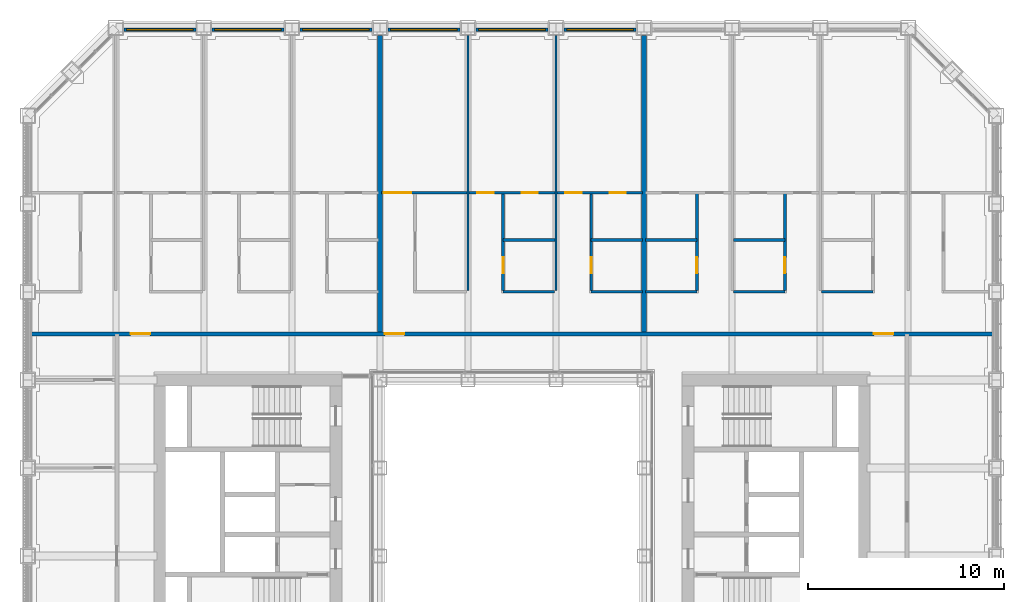
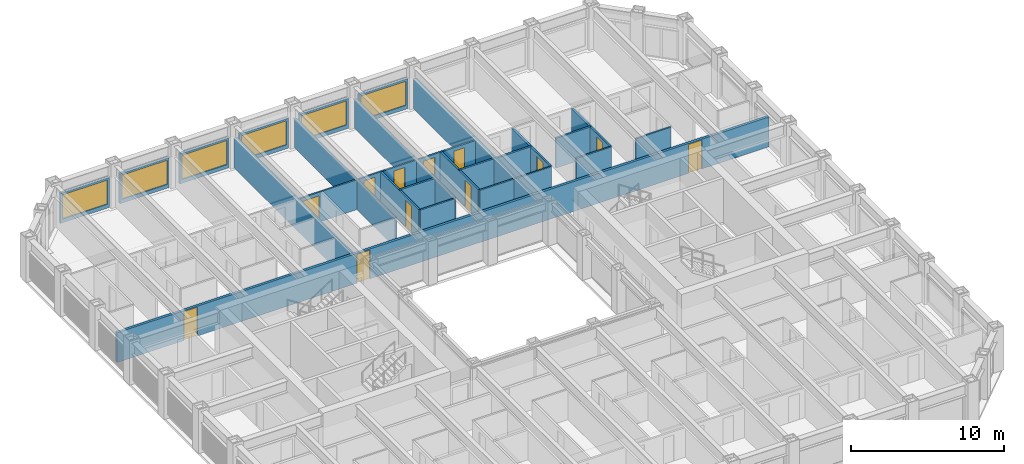
# One storey, part 14 of 21: 27 walls, 12 doors, 6 windows, 18 openings.
"""IFC4 building model written with IfcOpenShell, lengths in metres."""

from ifc_helpers import new_model, si_unit, direction, frame, frame_2d, origin, place, context, subcontext, project, spatial, rectangle, extrude, material, layer, layer_set, type_object, element, fill, save


model = new_model("IFC4")

# Units and contexts
model_context = context("Model", 3, precision=1e-05, world=origin(), true_north=direction((0.0, 1.0)))
body_context = subcontext(model_context, "Body", "Model", "MODEL_VIEW")
ifc_project = project(units=[si_unit("LENGTHUNIT", "METRE"), si_unit("AREAUNIT", "SQUARE_METRE"), si_unit("VOLUMEUNIT", "CUBIC_METRE"), si_unit("PLANEANGLEUNIT", "RADIAN"), si_unit("MASSUNIT", "GRAM", prefix="KILO")], contexts=[model_context])

# Site, building, storey
site_placement = place(None, origin())
site = spatial("IfcSite", under=ifc_project, at=site_placement, CompositionType="ELEMENT")
building_placement = place(site_placement, origin())
building = spatial("IfcBuilding", under=site, at=building_placement, Name="Msasa Ring Tower", CompositionType="ELEMENT")
storey_placement = place(building_placement, frame((0.0, 0.0, 96.5)))
storey = spatial("IfcBuildingStorey", under=building, at=storey_placement, Name="L25", CompositionType="ELEMENT", Elevation=96.5)

# Wall, opening, window
ifc_material_1 = material(Name="Terracotta rainscreen on blockwork", Category="masonry")
ifc_layer_1 = layer(ifc_material_1, 0.199951171875)
ifc_layer_set_1 = layer_set([ifc_layer_1], Name="FW1 TERRACOTTA-LINED INFILL BAY WALL 200")
wall_type_1 = type_object("IfcWallType", Name="FW1 TERRACOTTA-LINED INFILL BAY WALL 200", PredefinedType="SOLIDWALL", material=ifc_layer_set_1)
wall_1_placement = place(storey_placement, frame((-19.844970703125, 24.64990234375, 0.0), z_axis=(0.0, 0.0, 1.0), x_axis=(1.0, 0.0, 0.0)))
wall_1 = element("IfcWall", 1, at=wall_1_placement, inside=storey, type_object=wall_type_1, Name="Infill bay wall N L25 22", PredefinedType="SOLIDWALL", context=body_context, shape_type="SweptSolid", body=[
    extrude(rectangle(XDim=3.68994140625, YDim=0.199951171875, at=frame_2d((1.844970703125, 0.0))), origin(), (0.0, 0.0, 1.0), 2.37890625),
])
opening_1_placement = place(wall_1_placement, frame((0.14501953125, 0.0, 0.300048828125)))
opening_1 = element("IfcOpeningElement", 2, at=opening_1_placement, cuts=wall_1, Name="Opening WN1", PredefinedType="OPENING", context=body_context, shape_type="SweptSolid", body=[
    extrude(rectangle(XDim=3.39990234375, YDim=1.928955078125, at=frame_2d((1.699951171875, 0.96435546875))), frame((0.0, 0.10986328125, 0.0), z_axis=(0.0, -1.0, 0.0), x_axis=(1.0, 0.0, 0.0)), (0.0, 0.0, 1.0), 0.219970703125),
])
ifc_material_2 = material(Name="Aluminium frame with clear glass", Category="aluminium")
window_type = type_object("IfcWindowType", Name="WN1 RESIDENCE WINDOW 3400x1929", PartitioningType="SINGLE_PANEL", PredefinedType="WINDOW", material=ifc_material_2)
window_1_placement = place(opening_1_placement, origin())
window_1 = element("IfcWindow", 3, at=window_1_placement, inside=storey, type_object=window_type, Name="Window N L25 22", OverallHeight=1.928955078125, OverallWidth=3.39990234375, PartitioningType="SINGLE_PANEL", PredefinedType="WINDOW", context=body_context, shape_type="SweptSolid", body=[
    extrude(rectangle(XDim=3.39990234375, YDim=1.928955078125, at=frame_2d((1.699951171875, 0.96435546875))), frame((0.0, 0.030029296875, 0.0), z_axis=(0.0, -1.0, 0.0), x_axis=(1.0, 0.0, 0.0)), (0.0, 0.0, 1.0), 0.06005859375),
])
fill(opening_1, window_1)

wall_2_placement = place(storey_placement, frame((-15.344970703125, 24.64990234375, 0.0), z_axis=(0.0, 0.0, 1.0), x_axis=(1.0, 0.0, 0.0)))
wall_2 = element("IfcWall", 4, at=wall_2_placement, inside=storey, type_object=wall_type_1, Name="Infill bay wall N L25 23", PredefinedType="SOLIDWALL", context=body_context, shape_type="SweptSolid", body=[
    extrude(rectangle(XDim=3.68994140625, YDim=0.199951171875, at=frame_2d((1.844970703125, 0.0))), origin(), (0.0, 0.0, 1.0), 2.37890625),
])
opening_2_placement = place(wall_2_placement, frame((0.14501953125, 0.0, 0.300048828125)))
opening_2 = element("IfcOpeningElement", 5, at=opening_2_placement, cuts=wall_2, Name="Opening WN1", PredefinedType="OPENING", context=body_context, shape_type="SweptSolid", body=[
    extrude(rectangle(XDim=3.39990234375, YDim=1.928955078125, at=frame_2d((1.699951171875, 0.96435546875))), frame((0.0, 0.10986328125, 0.0), z_axis=(0.0, -1.0, 0.0), x_axis=(1.0, 0.0, 0.0)), (0.0, 0.0, 1.0), 0.219970703125),
])
window_2_placement = place(opening_2_placement, origin())
window_2 = element("IfcWindow", 6, at=window_2_placement, inside=storey, type_object=window_type, Name="Window N L25 23", OverallHeight=1.928955078125, OverallWidth=3.39990234375, PartitioningType="SINGLE_PANEL", PredefinedType="WINDOW", context=body_context, shape_type="SweptSolid", body=[
    extrude(rectangle(XDim=3.39990234375, YDim=1.928955078125, at=frame_2d((1.699951171875, 0.96435546875))), frame((0.0, 0.030029296875, 0.0), z_axis=(0.0, -1.0, 0.0), x_axis=(1.0, 0.0, 0.0)), (0.0, 0.0, 1.0), 0.06005859375),
])
fill(opening_2, window_2)

wall_3_placement = place(storey_placement, frame((-10.844970703125, 24.64990234375, 0.0), z_axis=(0.0, 0.0, 1.0), x_axis=(1.0, 0.0, 0.0)))
wall_3 = element("IfcWall", 7, at=wall_3_placement, inside=storey, type_object=wall_type_1, Name="Infill bay wall N L25 24", PredefinedType="SOLIDWALL", context=body_context, shape_type="SweptSolid", body=[
    extrude(rectangle(XDim=3.68994140625, YDim=0.199951171875, at=frame_2d((1.844970703125, 0.0))), origin(), (0.0, 0.0, 1.0), 2.37890625),
])
opening_3_placement = place(wall_3_placement, frame((0.14501953125, 0.0, 0.300048828125)))
opening_3 = element("IfcOpeningElement", 8, at=opening_3_placement, cuts=wall_3, Name="Opening WN1", PredefinedType="OPENING", context=body_context, shape_type="SweptSolid", body=[
    extrude(rectangle(XDim=3.39990234375, YDim=1.928955078125, at=frame_2d((1.699951171875, 0.96435546875))), frame((0.0, 0.10986328125, 0.0), z_axis=(0.0, -1.0, 0.0), x_axis=(1.0, 0.0, 0.0)), (0.0, 0.0, 1.0), 0.219970703125),
])
window_3_placement = place(opening_3_placement, origin())
window_3 = element("IfcWindow", 9, at=window_3_placement, inside=storey, type_object=window_type, Name="Window N L25 24", OverallHeight=1.928955078125, OverallWidth=3.39990234375, PartitioningType="SINGLE_PANEL", PredefinedType="WINDOW", context=body_context, shape_type="SweptSolid", body=[
    extrude(rectangle(XDim=3.39990234375, YDim=1.928955078125, at=frame_2d((1.699951171875, 0.96435546875))), frame((0.0, 0.030029296875, 0.0), z_axis=(0.0, -1.0, 0.0), x_axis=(1.0, 0.0, 0.0)), (0.0, 0.0, 1.0), 0.06005859375),
])
fill(opening_3, window_3)

wall_4_placement = place(storey_placement, frame((-6.344970703125, 24.64990234375, 0.0), z_axis=(0.0, 0.0, 1.0), x_axis=(1.0, 0.0, 0.0)))
wall_4 = element("IfcWall", 10, at=wall_4_placement, inside=storey, type_object=wall_type_1, Name="Infill bay wall N L25 25", PredefinedType="SOLIDWALL", context=body_context, shape_type="SweptSolid", body=[
    extrude(rectangle(XDim=3.68994140625, YDim=0.199951171875, at=frame_2d((1.844970703125, 0.0))), origin(), (0.0, 0.0, 1.0), 2.37890625),
])
opening_4_placement = place(wall_4_placement, frame((0.14501953125, 0.0, 0.300048828125)))
opening_4 = element("IfcOpeningElement", 11, at=opening_4_placement, cuts=wall_4, Name="Opening WN1", PredefinedType="OPENING", context=body_context, shape_type="SweptSolid", body=[
    extrude(rectangle(XDim=3.39990234375, YDim=1.928955078125, at=frame_2d((1.699951171875, 0.96435546875))), frame((0.0, 0.10986328125, 0.0), z_axis=(0.0, -1.0, 0.0), x_axis=(1.0, 0.0, 0.0)), (0.0, 0.0, 1.0), 0.219970703125),
])
window_4_placement = place(opening_4_placement, origin())
window_4 = element("IfcWindow", 12, at=window_4_placement, inside=storey, type_object=window_type, Name="Window N L25 25", OverallHeight=1.928955078125, OverallWidth=3.39990234375, PartitioningType="SINGLE_PANEL", PredefinedType="WINDOW", context=body_context, shape_type="SweptSolid", body=[
    extrude(rectangle(XDim=3.39990234375, YDim=1.928955078125, at=frame_2d((1.699951171875, 0.96435546875))), frame((0.0, 0.030029296875, 0.0), z_axis=(0.0, -1.0, 0.0), x_axis=(1.0, 0.0, 0.0)), (0.0, 0.0, 1.0), 0.06005859375),
])
fill(opening_4, window_4)

wall_5_placement = place(storey_placement, frame((-1.844970703125, 24.64990234375, 0.0), z_axis=(0.0, 0.0, 1.0), x_axis=(1.0, 0.0, 0.0)))
wall_5 = element("IfcWall", 13, at=wall_5_placement, inside=storey, type_object=wall_type_1, Name="Infill bay wall N L25 26", PredefinedType="SOLIDWALL", context=body_context, shape_type="SweptSolid", body=[
    extrude(rectangle(XDim=3.68994140625, YDim=0.199951171875, at=frame_2d((1.844970703125, 0.0))), origin(), (0.0, 0.0, 1.0), 2.37890625),
])
opening_5_placement = place(wall_5_placement, frame((0.14501953125, 0.0, 0.300048828125)))
opening_5 = element("IfcOpeningElement", 14, at=opening_5_placement, cuts=wall_5, Name="Opening WN1", PredefinedType="OPENING", context=body_context, shape_type="SweptSolid", body=[
    extrude(rectangle(XDim=3.39990234375, YDim=1.928955078125, at=frame_2d((1.699951171875, 0.96435546875))), frame((0.0, 0.10986328125, 0.0), z_axis=(0.0, -1.0, 0.0), x_axis=(1.0, 0.0, 0.0)), (0.0, 0.0, 1.0), 0.219970703125),
])
window_5_placement = place(opening_5_placement, origin())
window_5 = element("IfcWindow", 15, at=window_5_placement, inside=storey, type_object=window_type, Name="Window N L25 26", OverallHeight=1.928955078125, OverallWidth=3.39990234375, PartitioningType="SINGLE_PANEL", PredefinedType="WINDOW", context=body_context, shape_type="SweptSolid", body=[
    extrude(rectangle(XDim=3.39990234375, YDim=1.928955078125, at=frame_2d((1.699951171875, 0.96435546875))), frame((0.0, 0.030029296875, 0.0), z_axis=(0.0, -1.0, 0.0), x_axis=(1.0, 0.0, 0.0)), (0.0, 0.0, 1.0), 0.06005859375),
])
fill(opening_5, window_5)

wall_6_placement = place(storey_placement, frame((2.655029296875, 24.64990234375, 0.0), z_axis=(0.0, 0.0, 1.0), x_axis=(1.0, 0.0, 0.0)))
wall_6 = element("IfcWall", 16, at=wall_6_placement, inside=storey, type_object=wall_type_1, Name="Infill bay wall N L25 27", PredefinedType="SOLIDWALL", context=body_context, shape_type="SweptSolid", body=[
    extrude(rectangle(XDim=3.68994140625, YDim=0.199951171875, at=frame_2d((1.844970703125, 0.0))), origin(), (0.0, 0.0, 1.0), 2.37890625),
])
opening_6_placement = place(wall_6_placement, frame((0.14501953125, 0.0, 0.300048828125)))
opening_6 = element("IfcOpeningElement", 17, at=opening_6_placement, cuts=wall_6, Name="Opening WN1", PredefinedType="OPENING", context=body_context, shape_type="SweptSolid", body=[
    extrude(rectangle(XDim=3.39990234375, YDim=1.928955078125, at=frame_2d((1.699951171875, 0.96435546875))), frame((0.0, 0.10986328125, 0.0), z_axis=(0.0, -1.0, 0.0), x_axis=(1.0, 0.0, 0.0)), (0.0, 0.0, 1.0), 0.219970703125),
])
window_6_placement = place(opening_6_placement, origin())
window_6 = element("IfcWindow", 18, at=window_6_placement, inside=storey, type_object=window_type, Name="Window N L25 27", OverallHeight=1.928955078125, OverallWidth=3.39990234375, PartitioningType="SINGLE_PANEL", PredefinedType="WINDOW", context=body_context, shape_type="SweptSolid", body=[
    extrude(rectangle(XDim=3.39990234375, YDim=1.928955078125, at=frame_2d((1.699951171875, 0.96435546875))), frame((0.0, 0.030029296875, 0.0), z_axis=(0.0, -1.0, 0.0), x_axis=(1.0, 0.0, 0.0)), (0.0, 0.0, 1.0), 0.06005859375),
])
fill(opening_6, window_6)

# Wall, openings, doors
ifc_material_3 = material(Name="Concrete blockwork", Category="masonry")
ifc_layer_2 = layer(ifc_material_3, 0.199951171875)
ifc_layer_set_2 = layer_set([ifc_layer_2], Name="PT1 CORRIDOR WALL 200")
wall_type_2 = type_object("IfcWallType", Name="PT1 CORRIDOR WALL 200", PredefinedType="PARTITIONING", material=ifc_layer_set_2)
wall_7_placement = place(storey_placement, frame((-24.550048828125, 9.10009765625, 0.0), z_axis=(0.0, 0.0, 1.0), x_axis=(1.0, 0.0, 0.0)))
wall_7 = element("IfcWall", 19, at=wall_7_placement, inside=storey, type_object=wall_type_2, Name="Corridor wall L25-CORRN0", PredefinedType="PARTITIONING", context=body_context, shape_type="SweptSolid", body=[
    extrude(rectangle(XDim=49.10009765625, YDim=0.199951171875, at=frame_2d((24.550048828125, 0.0))), origin(), (0.0, 0.0, 1.0), 2.373291015625),
])
opening_7_placement = place(wall_7_placement, frame((5.050048828125, 0.0, 0.0)))
opening_7 = element("IfcOpeningElement", 20, at=opening_7_placement, cuts=wall_7, Name="Opening RG-031", PredefinedType="OPENING", context=body_context, shape_type="SweptSolid", body=[
    extrude(rectangle(XDim=1.0, YDim=2.300048828125, at=frame_2d((0.5, 1.14990234375))), frame((0.0, 0.10986328125, 0.0), z_axis=(0.0, -1.0, 0.0), x_axis=(1.0, 0.0, 0.0)), (0.0, 0.0, 1.0), 0.219970703125),
])
opening_8_placement = place(wall_7_placement, frame((18.050048828125, 0.0, 0.0)))
opening_8 = element("IfcOpeningElement", 21, at=opening_8_placement, cuts=wall_7, Name="Opening RG-032", PredefinedType="OPENING", context=body_context, shape_type="SweptSolid", body=[
    extrude(rectangle(XDim=1.0, YDim=2.300048828125, at=frame_2d((0.5, 1.14990234375))), frame((0.0, 0.10986328125, 0.0), z_axis=(0.0, -1.0, 0.0), x_axis=(1.0, 0.0, 0.0)), (0.0, 0.0, 1.0), 0.219970703125),
])
opening_9_placement = place(wall_7_placement, frame((43.050048828125, 0.0, 0.0)))
opening_9 = element("IfcOpeningElement", 22, at=opening_9_placement, cuts=wall_7, Name="Opening RG-033", PredefinedType="OPENING", context=body_context, shape_type="SweptSolid", body=[
    extrude(rectangle(XDim=1.0, YDim=2.300048828125, at=frame_2d((0.5, 1.14990234375))), frame((0.0, 0.10986328125, 0.0), z_axis=(0.0, -1.0, 0.0), x_axis=(1.0, 0.0, 0.0)), (0.0, 0.0, 1.0), 0.219970703125),
])
ifc_material_4 = material(Name="Timber door leaf in a steel frame", Category="steel")
door_type_1 = type_object("IfcDoorType", Name="D16 UPPER RESIDENCE ENTRANCE DOOR 1000x2300", OperationType="SINGLE_SWING_LEFT", PredefinedType="DOOR", material=ifc_material_4)
door_1_placement = place(opening_7_placement, origin())
door_1 = element("IfcDoor", 23, at=door_1_placement, inside=storey, type_object=door_type_1, Name="Door L25-UN00", OperationType="SINGLE_SWING_LEFT", OverallHeight=2.300048828125, OverallWidth=1.0, PredefinedType="DOOR", context=body_context, shape_type="SweptSolid", body=[
    extrude(rectangle(XDim=1.0, YDim=2.300048828125, at=frame_2d((0.5, 1.14990234375))), frame((0.0, 0.02490234375, 0.0), z_axis=(0.0, -1.0, 0.0), x_axis=(1.0, 0.0, 0.0)), (0.0, 0.0, 1.0), 0.050048828125),
])
fill(opening_7, door_1)
door_2_placement = place(opening_8_placement, origin())
door_2 = element("IfcDoor", 24, at=door_2_placement, inside=storey, type_object=door_type_1, Name="Door L25-UN01", OperationType="SINGLE_SWING_LEFT", OverallHeight=2.300048828125, OverallWidth=1.0, PredefinedType="DOOR", context=body_context, shape_type="SweptSolid", body=[
    extrude(rectangle(XDim=1.0, YDim=2.300048828125, at=frame_2d((0.5, 1.14990234375))), frame((0.0, 0.02490234375, 0.0), z_axis=(0.0, -1.0, 0.0), x_axis=(1.0, 0.0, 0.0)), (0.0, 0.0, 1.0), 0.050048828125),
])
fill(opening_8, door_2)
door_3_placement = place(opening_9_placement, origin())
door_3 = element("IfcDoor", 25, at=door_3_placement, inside=storey, type_object=door_type_1, Name="Door L25-UN02", OperationType="SINGLE_SWING_RIGHT", OverallHeight=2.300048828125, OverallWidth=1.0, PredefinedType="DOOR", context=body_context, shape_type="SweptSolid", body=[
    extrude(rectangle(XDim=1.0, YDim=2.300048828125, at=frame_2d((0.5, 1.14990234375))), frame((0.0, 0.02490234375, 0.0), z_axis=(0.0, -1.0, 0.0), x_axis=(1.0, 0.0, 0.0)), (0.0, 0.0, 1.0), 0.050048828125),
])
fill(opening_9, door_3)

# Walls
ifc_material_5 = material(Name="Dense concrete blockwork, plastered both faces", Category="masonry")
ifc_layer_3 = layer(ifc_material_5, 0.25)
ifc_layer_set_3 = layer_set([ifc_layer_3], Name="PT3 APARTMENT SEPARATING WALL 250")
wall_type_3 = type_object("IfcWallType", Name="PT3 APARTMENT SEPARATING WALL 250", PredefinedType="PARTITIONING", material=ifc_layer_set_3)
for number, where, z_axis, x_axis, name in (
    (26, (-6.75, 9.199951171875, 0.0), (0.0, 0.0, 1.0), (0.0, 1.0, 0.0), "Party wall L25-PWN-6.75"),
    (27, (6.75, 9.199951171875, 0.0), (0.0, 0.0, 1.0), (0.0, 1.0, 0.0), "Party wall L25-PWN+6.75"),
):
    element("IfcWall", number, at=place(storey_placement, frame(where, z_axis=z_axis, x_axis=x_axis)), inside=storey, type_object=wall_type_3, Name=name, PredefinedType="PARTITIONING", context=body_context, shape_type="SweptSolid", body=[
        extrude(rectangle(XDim=15.150146484375, YDim=0.25, at=frame_2d((7.5751953125, 0.0))), origin(), (0.0, 0.0, 1.0), 2.373291015625),
    ])

# Wall, opening, door
ifc_material_6 = material(Name="Moisture-resistant board on steel studs with a concealed cistern and pipe void, tiled", Category="steel")
ifc_layer_4 = layer(ifc_material_6, 0.14990234375)
ifc_layer_set_4 = layer_set([ifc_layer_4], Name="PT4 BATHROOM WET WALL 150")
wall_type_4 = type_object("IfcWallType", Name="PT4 BATHROOM WET WALL 150", PredefinedType="PARTITIONING", material=ifc_layer_set_4)
wall_8_placement = place(storey_placement, frame((-0.449951171875, 11.3125, 0.0), z_axis=(0.0, 0.0, 1.0), x_axis=(0.0, 1.0, 0.0)))
wall_8 = element("IfcWall", 28, at=wall_8_placement, inside=storey, type_object=wall_type_4, Name="Partition L25-UN01SX1", PredefinedType="PARTITIONING", context=body_context, shape_type="SweptSolid", body=[
    extrude(rectangle(XDim=5.0, YDim=0.14990234375, at=frame_2d((2.5, 0.0))), origin(), (0.0, 0.0, 1.0), 2.373291015625),
])
opening_10_placement = place(wall_8_placement, frame((0.89990234375, 0.0, 0.0)))
opening_10 = element("IfcOpeningElement", 29, at=opening_10_placement, cuts=wall_8, Name="Opening RG-026", PredefinedType="OPENING", context=body_context, shape_type="SweptSolid", body=[
    extrude(rectangle(XDim=0.800048828125, YDim=2.10009765625, at=frame_2d((0.39990234375, 1.050048828125))), frame((0.0, 0.0849609375, 0.0), z_axis=(0.0, -1.0, 0.0), x_axis=(1.0, 0.0, 0.0)), (0.0, 0.0, 1.0), 0.169921875),
])
ifc_material_7 = material(Name="Timber door leaf in a steel frame", Category="steel")
door_type_2 = type_object("IfcDoorType", Name="D21 POCKET SLIDING BATHROOM DOOR 800x2100", OperationType="SINGLE_SWING_LEFT", PredefinedType="DOOR", material=ifc_material_7)
door_4_placement = place(opening_10_placement, origin())
door_4 = element("IfcDoor", 30, at=door_4_placement, inside=storey, type_object=door_type_2, Name="Door L25-UN01B1", OperationType="SINGLE_SWING_LEFT", OverallHeight=2.10009765625, OverallWidth=0.800048828125, PredefinedType="DOOR", context=body_context, shape_type="SweptSolid", body=[
    extrude(rectangle(XDim=0.800048828125, YDim=2.10009765625, at=frame_2d((0.39990234375, 1.050048828125))), frame((0.0, 0.02490234375, 0.0), z_axis=(0.0, -1.0, 0.0), x_axis=(1.0, 0.0, 0.0)), (0.0, 0.0, 1.0), 0.050048828125),
])
fill(opening_10, door_4)

# Wall
wall_9_placement = place(storey_placement, frame((-0.449951171875, 13.91259765625, 0.0), z_axis=(0.0, 0.0, 1.0), x_axis=(1.0, 0.0, 0.0)))
element("IfcWall", 31, at=wall_9_placement, inside=storey, type_object=wall_type_4, Name="Partition L25-UN01SB1", PredefinedType="PARTITIONING", context=body_context, shape_type="SweptSolid", body=[
    extrude(rectangle(XDim=2.637451171875, YDim=0.14990234375, at=frame_2d((1.31884765625, 0.0))), origin(), (0.0, 0.0, 1.0), 2.373291015625),
])

# Wall, opening, door
wall_10_placement = place(storey_placement, frame((4.050048828125, 11.3125, 0.0), z_axis=(0.0, 0.0, 1.0), x_axis=(0.0, 1.0, 0.0)))
wall_10 = element("IfcWall", 32, at=wall_10_placement, inside=storey, type_object=wall_type_4, Name="Partition L25-UN01SX2", PredefinedType="PARTITIONING", context=body_context, shape_type="SweptSolid", body=[
    extrude(rectangle(XDim=5.0, YDim=0.14990234375, at=frame_2d((2.5, 0.0))), origin(), (0.0, 0.0, 1.0), 2.373291015625),
])
opening_11_placement = place(wall_10_placement, frame((0.89990234375, 0.0, 0.0)))
opening_11 = element("IfcOpeningElement", 33, at=opening_11_placement, cuts=wall_10, Name="Opening RG-027", PredefinedType="OPENING", context=body_context, shape_type="SweptSolid", body=[
    extrude(rectangle(XDim=0.800048828125, YDim=2.10009765625, at=frame_2d((0.39990234375, 1.050048828125))), frame((0.0, 0.0849609375, 0.0), z_axis=(0.0, -1.0, 0.0), x_axis=(1.0, 0.0, 0.0)), (0.0, 0.0, 1.0), 0.169921875),
])
door_5_placement = place(opening_11_placement, origin())
door_5 = element("IfcDoor", 34, at=door_5_placement, inside=storey, type_object=door_type_2, Name="Door L25-UN01B2", OperationType="SINGLE_SWING_LEFT", OverallHeight=2.10009765625, OverallWidth=0.800048828125, PredefinedType="DOOR", context=body_context, shape_type="SweptSolid", body=[
    extrude(rectangle(XDim=0.800048828125, YDim=2.10009765625, at=frame_2d((0.39990234375, 1.050048828125))), frame((0.0, 0.02490234375, 0.0), z_axis=(0.0, -1.0, 0.0), x_axis=(1.0, 0.0, 0.0)), (0.0, 0.0, 1.0), 0.050048828125),
])
fill(opening_11, door_5)

# Wall
wall_11_placement = place(storey_placement, frame((4.050048828125, 13.91259765625, 0.0), z_axis=(0.0, 0.0, 1.0), x_axis=(1.0, 0.0, 0.0)))
element("IfcWall", 35, at=wall_11_placement, inside=storey, type_object=wall_type_4, Name="Partition L25-UN01SB2", PredefinedType="PARTITIONING", context=body_context, shape_type="SweptSolid", body=[
    extrude(rectangle(XDim=2.632568359375, YDim=0.14990234375, at=frame_2d((1.31640625, 0.0))), origin(), (0.0, 0.0, 1.0), 2.373291015625),
])

# Wall, opening, door
wall_12_placement = place(storey_placement, frame((13.949951171875, 11.3125, 0.0), z_axis=(0.0, 0.0, 1.0), x_axis=(0.0, 1.0, 0.0)))
wall_12 = element("IfcWall", 36, at=wall_12_placement, inside=storey, type_object=wall_type_4, Name="Partition L25-UN02SX2", PredefinedType="PARTITIONING", context=body_context, shape_type="SweptSolid", body=[
    extrude(rectangle(XDim=5.0, YDim=0.14990234375, at=frame_2d((2.5, 0.0))), origin(), (0.0, 0.0, 1.0), 2.373291015625),
])
opening_12_placement = place(wall_12_placement, frame((0.89990234375, 0.0, 0.0)))
opening_12 = element("IfcOpeningElement", 37, at=opening_12_placement, cuts=wall_12, Name="Opening RG-029", PredefinedType="OPENING", context=body_context, shape_type="SweptSolid", body=[
    extrude(rectangle(XDim=0.800048828125, YDim=2.10009765625, at=frame_2d((0.39990234375, 1.050048828125))), frame((0.0, 0.0849609375, 0.0), z_axis=(0.0, -1.0, 0.0), x_axis=(1.0, 0.0, 0.0)), (0.0, 0.0, 1.0), 0.169921875),
])
door_6_placement = place(opening_12_placement, origin())
door_6 = element("IfcDoor", 38, at=door_6_placement, inside=storey, type_object=door_type_2, Name="Door L25-UN02B2", OperationType="SINGLE_SWING_LEFT", OverallHeight=2.10009765625, OverallWidth=0.800048828125, PredefinedType="DOOR", context=body_context, shape_type="SweptSolid", body=[
    extrude(rectangle(XDim=0.800048828125, YDim=2.10009765625, at=frame_2d((0.39990234375, 1.050048828125))), frame((0.0, 0.02490234375, 0.0), z_axis=(0.0, -1.0, 0.0), x_axis=(1.0, 0.0, 0.0)), (0.0, 0.0, 1.0), 0.050048828125),
])
fill(opening_12, door_6)

# Wall
wall_13_placement = place(storey_placement, frame((11.3125, 13.91259765625, 0.0), z_axis=(0.0, 0.0, 1.0), x_axis=(1.0, 0.0, 0.0)))
element("IfcWall", 39, at=wall_13_placement, inside=storey, type_object=wall_type_4, Name="Partition L25-UN02SB2", PredefinedType="PARTITIONING", context=body_context, shape_type="SweptSolid", body=[
    extrude(rectangle(XDim=2.637451171875, YDim=0.14990234375, at=frame_2d((1.31884765625, 0.0))), origin(), (0.0, 0.0, 1.0), 2.373291015625),
])

# Wall, opening, door
wall_14_placement = place(storey_placement, frame((9.449951171875, 11.3125, 0.0), z_axis=(0.0, 0.0, 1.0), x_axis=(0.0, 1.0, 0.0)))
wall_14 = element("IfcWall", 40, at=wall_14_placement, inside=storey, type_object=wall_type_4, Name="Partition L25-UN02SX3", PredefinedType="PARTITIONING", context=body_context, shape_type="SweptSolid", body=[
    extrude(rectangle(XDim=5.0, YDim=0.14990234375, at=frame_2d((2.5, 0.0))), origin(), (0.0, 0.0, 1.0), 2.373291015625),
])
opening_13_placement = place(wall_14_placement, frame((0.89990234375, 0.0, 0.0)))
opening_13 = element("IfcOpeningElement", 41, at=opening_13_placement, cuts=wall_14, Name="Opening RG-028", PredefinedType="OPENING", context=body_context, shape_type="SweptSolid", body=[
    extrude(rectangle(XDim=0.800048828125, YDim=2.10009765625, at=frame_2d((0.39990234375, 1.050048828125))), frame((0.0, 0.0849609375, 0.0), z_axis=(0.0, -1.0, 0.0), x_axis=(1.0, 0.0, 0.0)), (0.0, 0.0, 1.0), 0.169921875),
])
door_7_placement = place(opening_13_placement, origin())
door_7 = element("IfcDoor", 42, at=door_7_placement, inside=storey, type_object=door_type_2, Name="Door L25-UN02B3", OperationType="SINGLE_SWING_LEFT", OverallHeight=2.10009765625, OverallWidth=0.800048828125, PredefinedType="DOOR", context=body_context, shape_type="SweptSolid", body=[
    extrude(rectangle(XDim=0.800048828125, YDim=2.10009765625, at=frame_2d((0.39990234375, 1.050048828125))), frame((0.0, 0.02490234375, 0.0), z_axis=(0.0, -1.0, 0.0), x_axis=(1.0, 0.0, 0.0)), (0.0, 0.0, 1.0), 0.050048828125),
])
fill(opening_13, door_7)

# Wall
wall_15_placement = place(storey_placement, frame((6.8173828125, 13.91259765625, 0.0), z_axis=(0.0, 0.0, 1.0), x_axis=(1.0, 0.0, 0.0)))
element("IfcWall", 43, at=wall_15_placement, inside=storey, type_object=wall_type_4, Name="Partition L25-UN02SB3", PredefinedType="PARTITIONING", context=body_context, shape_type="SweptSolid", body=[
    extrude(rectangle(XDim=2.632568359375, YDim=0.14990234375, at=frame_2d((1.31640625, 0.0))), origin(), (0.0, 0.0, 1.0), 2.373291015625),
])

# Wall, opening, door
ifc_material_8 = material(Name="Two layers of acoustic board each face on steel studs, mineral wool", Category="steel")
ifc_layer_5 = layer(ifc_material_8, 0.125)
ifc_layer_set_5 = layer_set([ifc_layer_5], Name="PT6 ACOUSTIC DOUBLE-BOARD PARTITION 125")
wall_type_5 = type_object("IfcWallType", Name="PT6 ACOUSTIC DOUBLE-BOARD PARTITION 125", PredefinedType="PARTITIONING", material=ifc_layer_set_5)
wall_16_placement = place(storey_placement, frame((-6.6826171875, 16.3125, 0.0), z_axis=(0.0, 0.0, 1.0), x_axis=(1.0, 0.0, 0.0)))
wall_16 = element("IfcWall", 44, at=wall_16_placement, inside=storey, type_object=wall_type_5, Name="Partition L25-UN01SY0", PredefinedType="PARTITIONING", context=body_context, shape_type="SweptSolid", body=[
    extrude(rectangle(XDim=4.3701171875, YDim=0.125, at=frame_2d((2.18505859375, 0.0))), origin(), (0.0, 0.0, 1.0), 2.373291015625),
])
opening_14_placement = place(wall_16_placement, frame((0.132568359375, 0.0, 0.0)))
opening_14 = element("IfcOpeningElement", 45, at=opening_14_placement, cuts=wall_16, Name="Opening RG-008", PredefinedType="OPENING", context=body_context, shape_type="SweptSolid", body=[
    extrude(rectangle(XDim=1.39990234375, YDim=2.10009765625, at=frame_2d((0.699951171875, 1.050048828125))), frame((0.0, 0.072509765625, 0.0), z_axis=(0.0, -1.0, 0.0), x_axis=(1.0, 0.0, 0.0)), (0.0, 0.0, 1.0), 0.14501953125),
])
ifc_material_9 = material(Name="Timber door leaf in a steel frame", Category="steel")
door_type_3 = type_object("IfcDoorType", Name="D15 LIVING ROOM PAIR OF GLAZED DOORS 1400x2100", OperationType="SINGLE_SWING_LEFT", PredefinedType="DOOR", material=ifc_material_9)
door_8_placement = place(opening_14_placement, origin())
door_8 = element("IfcDoor", 46, at=door_8_placement, inside=storey, type_object=door_type_3, Name="Door L25-UN01L", OperationType="SINGLE_SWING_LEFT", OverallHeight=2.10009765625, OverallWidth=1.39990234375, PredefinedType="DOOR", context=body_context, shape_type="SweptSolid", body=[
    extrude(rectangle(XDim=1.39990234375, YDim=2.10009765625, at=frame_2d((0.699951171875, 1.050048828125))), frame((0.0, 0.02490234375, 0.0), z_axis=(0.0, -1.0, 0.0), x_axis=(1.0, 0.0, 0.0)), (0.0, 0.0, 1.0), 0.050048828125),
])
fill(opening_14, door_8)

# Walls
wall_17_placement = place(storey_placement, frame((-2.25, 11.3125, 0.0), z_axis=(0.0, 0.0, 1.0), x_axis=(0.0, 1.0, 0.0)))
element("IfcWall", 47, at=wall_17_placement, inside=storey, type_object=wall_type_5, Name="Partition L25-UN01P1", PredefinedType="PARTITIONING", context=body_context, shape_type="SweptSolid", body=[
    extrude(rectangle(XDim=13.03759765625, YDim=0.125, at=frame_2d((6.518798828125, 0.0))), origin(), (0.0, 0.0, 1.0), 2.373291015625),
])
wall_18_placement = place(storey_placement, frame((-0.449951171875, 11.25, 0.0), z_axis=(0.0, 0.0, 1.0), x_axis=(1.0, 0.0, 0.0)))
element("IfcWall", 48, at=wall_18_placement, inside=storey, type_object=wall_type_5, Name="Partition L25-UN01HY1", PredefinedType="PARTITIONING", context=body_context, shape_type="SweptSolid", body=[
    extrude(rectangle(XDim=2.632568359375, YDim=0.125, at=frame_2d((1.31640625, 0.0))), origin(), (0.0, 0.0, 1.0), 2.373291015625),
])

# Wall, openings, doors
wall_19_placement = place(storey_placement, frame((-2.1875, 16.3125, 0.0), z_axis=(0.0, 0.0, 1.0), x_axis=(1.0, 0.0, 0.0)))
wall_19 = element("IfcWall", 49, at=wall_19_placement, inside=storey, type_object=wall_type_5, Name="Partition L25-UN01SY1", PredefinedType="PARTITIONING", context=body_context, shape_type="SweptSolid", body=[
    extrude(rectangle(XDim=4.375, YDim=0.125, at=frame_2d((2.1875, 0.0))), origin(), (0.0, 0.0, 1.0), 2.373291015625),
])
opening_15_placement = place(wall_19_placement, frame((0.41259765625, 0.0, 0.0)))
opening_15 = element("IfcOpeningElement", 50, at=opening_15_placement, cuts=wall_19, Name="Opening RG-009", PredefinedType="OPENING", context=body_context, shape_type="SweptSolid", body=[
    extrude(rectangle(XDim=0.85009765625, YDim=2.10009765625, at=frame_2d((0.425048828125, 1.050048828125))), frame((0.0, 0.072509765625, 0.0), z_axis=(0.0, -1.0, 0.0), x_axis=(1.0, 0.0, 0.0)), (0.0, 0.0, 1.0), 0.14501953125),
])
opening_16_placement = place(wall_19_placement, frame((2.69384765625, 0.0, 0.0)))
opening_16 = element("IfcOpeningElement", 51, at=opening_16_placement, cuts=wall_19, Name="Opening RG-010", PredefinedType="OPENING", context=body_context, shape_type="SweptSolid", body=[
    extrude(rectangle(XDim=0.800048828125, YDim=2.10009765625, at=frame_2d((0.39990234375, 1.050048828125))), frame((0.0, 0.072509765625, 0.0), z_axis=(0.0, -1.0, 0.0), x_axis=(1.0, 0.0, 0.0)), (0.0, 0.0, 1.0), 0.14501953125),
])
ifc_material_10 = material(Name="Timber door leaf in a steel frame", Category="steel")
door_type_4 = type_object("IfcDoorType", Name="D14 BEDROOM DOOR 850x2100", OperationType="SINGLE_SWING_LEFT", PredefinedType="DOOR", material=ifc_material_10)
door_9_placement = place(opening_15_placement, origin())
door_9 = element("IfcDoor", 52, at=door_9_placement, inside=storey, type_object=door_type_4, Name="Door L25-UN01R1", OperationType="SINGLE_SWING_LEFT", OverallHeight=2.10009765625, OverallWidth=0.85009765625, PredefinedType="DOOR", context=body_context, shape_type="SweptSolid", body=[
    extrude(rectangle(XDim=0.85009765625, YDim=2.10009765625, at=frame_2d((0.425048828125, 1.050048828125))), frame((0.0, 0.02490234375, 0.0), z_axis=(0.0, -1.0, 0.0), x_axis=(1.0, 0.0, 0.0)), (0.0, 0.0, 1.0), 0.050048828125),
])
fill(opening_15, door_9)
ifc_material_11 = material(Name="Timber door leaf in a steel frame", Category="steel")
door_type_5 = type_object("IfcDoorType", Name="D60 DRESSING ROOM DOOR 800x2100", OperationType="SINGLE_SWING_LEFT", PredefinedType="DOOR", material=ifc_material_11)
door_10_placement = place(opening_16_placement, origin())
door_10 = element("IfcDoor", 53, at=door_10_placement, inside=storey, type_object=door_type_5, Name="Door L25-UN01W1", OperationType="SINGLE_SWING_RIGHT", OverallHeight=2.10009765625, OverallWidth=0.800048828125, PredefinedType="DOOR", context=body_context, shape_type="SweptSolid", body=[
    extrude(rectangle(XDim=0.800048828125, YDim=2.10009765625, at=frame_2d((0.39990234375, 1.050048828125))), frame((0.0, 0.02490234375, 0.0), z_axis=(0.0, -1.0, 0.0), x_axis=(1.0, 0.0, 0.0)), (0.0, 0.0, 1.0), 0.050048828125),
])
fill(opening_16, door_10)

# Walls
wall_20_placement = place(storey_placement, frame((2.25, 11.3125, 0.0), z_axis=(0.0, 0.0, 1.0), x_axis=(0.0, 1.0, 0.0)))
element("IfcWall", 54, at=wall_20_placement, inside=storey, type_object=wall_type_5, Name="Partition L25-UN01P2", PredefinedType="PARTITIONING", context=body_context, shape_type="SweptSolid", body=[
    extrude(rectangle(XDim=13.03759765625, YDim=0.125, at=frame_2d((6.518798828125, 0.0))), origin(), (0.0, 0.0, 1.0), 2.373291015625),
])
wall_21_placement = place(storey_placement, frame((4.050048828125, 11.25, 0.0), z_axis=(0.0, 0.0, 1.0), x_axis=(1.0, 0.0, 0.0)))
element("IfcWall", 55, at=wall_21_placement, inside=storey, type_object=wall_type_5, Name="Partition L25-UN01HY2", PredefinedType="PARTITIONING", context=body_context, shape_type="SweptSolid", body=[
    extrude(rectangle(XDim=2.632568359375, YDim=0.125, at=frame_2d((1.31640625, 0.0))), origin(), (0.0, 0.0, 1.0), 2.373291015625),
])

# Wall, openings, doors
wall_22_placement = place(storey_placement, frame((2.3125, 16.3125, 0.0), z_axis=(0.0, 0.0, 1.0), x_axis=(1.0, 0.0, 0.0)))
wall_22 = element("IfcWall", 56, at=wall_22_placement, inside=storey, type_object=wall_type_5, Name="Partition L25-UN01SY2", PredefinedType="PARTITIONING", context=body_context, shape_type="SweptSolid", body=[
    extrude(rectangle(XDim=4.3701171875, YDim=0.125, at=frame_2d((2.18505859375, 0.0))), origin(), (0.0, 0.0, 1.0), 2.373291015625),
])
opening_17_placement = place(wall_22_placement, frame((0.41259765625, 0.0, 0.0)))
opening_17 = element("IfcOpeningElement", 57, at=opening_17_placement, cuts=wall_22, Name="Opening RG-011", PredefinedType="OPENING", context=body_context, shape_type="SweptSolid", body=[
    extrude(rectangle(XDim=0.85009765625, YDim=2.10009765625, at=frame_2d((0.425048828125, 1.050048828125))), frame((0.0, 0.072509765625, 0.0), z_axis=(0.0, -1.0, 0.0), x_axis=(1.0, 0.0, 0.0)), (0.0, 0.0, 1.0), 0.14501953125),
])
opening_18_placement = place(wall_22_placement, frame((2.693603515625, 0.0, 0.0)))
opening_18 = element("IfcOpeningElement", 58, at=opening_18_placement, cuts=wall_22, Name="Opening RG-012", PredefinedType="OPENING", context=body_context, shape_type="SweptSolid", body=[
    extrude(rectangle(XDim=0.800048828125, YDim=2.10009765625, at=frame_2d((0.39990234375, 1.050048828125))), frame((0.0, 0.072509765625, 0.0), z_axis=(0.0, -1.0, 0.0), x_axis=(1.0, 0.0, 0.0)), (0.0, 0.0, 1.0), 0.14501953125),
])
door_11_placement = place(opening_17_placement, origin())
door_11 = element("IfcDoor", 59, at=door_11_placement, inside=storey, type_object=door_type_4, Name="Door L25-UN01R2", OperationType="SINGLE_SWING_LEFT", OverallHeight=2.10009765625, OverallWidth=0.85009765625, PredefinedType="DOOR", context=body_context, shape_type="SweptSolid", body=[
    extrude(rectangle(XDim=0.85009765625, YDim=2.10009765625, at=frame_2d((0.425048828125, 1.050048828125))), frame((0.0, 0.02490234375, 0.0), z_axis=(0.0, -1.0, 0.0), x_axis=(1.0, 0.0, 0.0)), (0.0, 0.0, 1.0), 0.050048828125),
])
fill(opening_17, door_11)
door_12_placement = place(opening_18_placement, origin())
door_12 = element("IfcDoor", 60, at=door_12_placement, inside=storey, type_object=door_type_5, Name="Door L25-UN01W2", OperationType="SINGLE_SWING_RIGHT", OverallHeight=2.10009765625, OverallWidth=0.800048828125, PredefinedType="DOOR", context=body_context, shape_type="SweptSolid", body=[
    extrude(rectangle(XDim=0.800048828125, YDim=2.10009765625, at=frame_2d((0.39990234375, 1.050048828125))), frame((0.0, 0.02490234375, 0.0), z_axis=(0.0, -1.0, 0.0), x_axis=(1.0, 0.0, 0.0)), (0.0, 0.0, 1.0), 0.050048828125),
])
fill(opening_18, door_12)

# Walls
for number, where, z_axis, x_axis, name in (
    (61, (15.8173828125, 11.25, 0.0), (0.0, 0.0, 1.0), (1.0, 0.0, 0.0), "Partition L25-UN02HY1"),
    (62, (11.3173828125, 11.25, 0.0), (0.0, 0.0, 1.0), (1.0, 0.0, 0.0), "Partition L25-UN02HY2"),
    (63, (6.8173828125, 11.25, 0.0), (0.0, 0.0, 1.0), (1.0, 0.0, 0.0), "Partition L25-UN02HY3"),
):
    element("IfcWall", number, at=place(storey_placement, frame(where, z_axis=z_axis, x_axis=x_axis)), inside=storey, type_object=wall_type_5, Name=name, PredefinedType="PARTITIONING", context=body_context, shape_type="SweptSolid", body=[
        extrude(rectangle(XDim=2.632568359375, YDim=0.125, at=frame_2d((1.31640625, 0.0))), origin(), (0.0, 0.0, 1.0), 2.373291015625),
    ])

save(model, "model.ifc")
